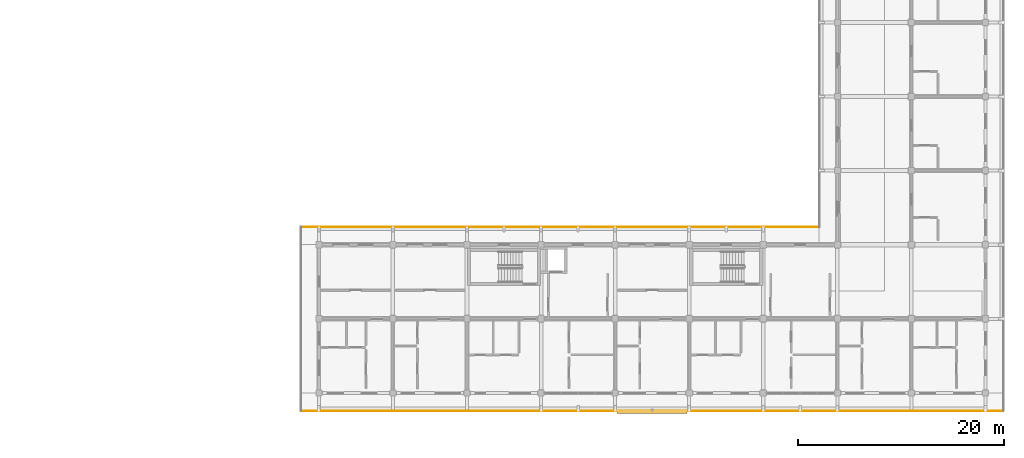
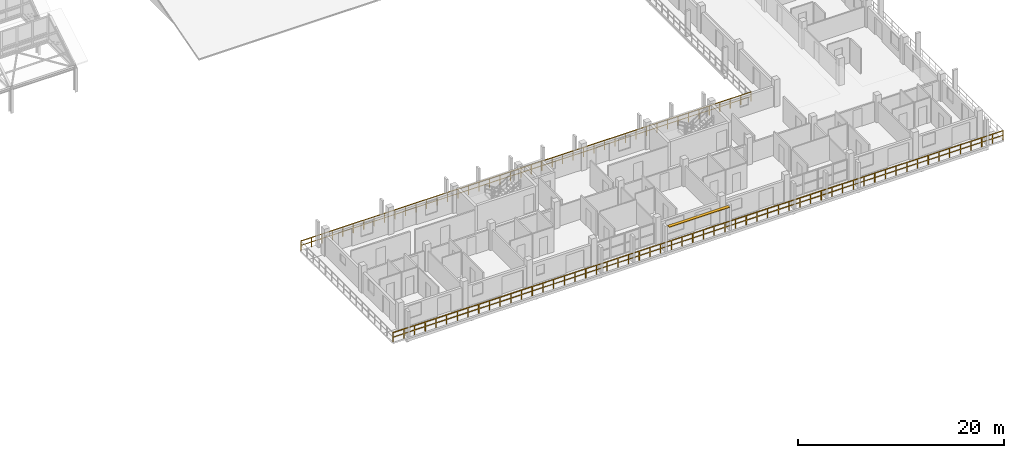
# One storey, part 152 of 157: 2 railings, 1 shading device.
"""IFC4 building model written with IfcOpenShell, lengths in metres."""

import ifcopenshell
import ifcopenshell.guid

model = None  # the IFC model being written
_history = None  # IfcOwnerHistory: only IFC2X3 demands one
_inside = {}  # id of a spatial element -> (the spatial element, [elements in it])
_under = {}  # id of a project, library or spatial element -> (it, [spatial elements below it])
_declared = {}  # id of a project -> (the project, [libraries it declares])
_typed = {}  # id of a type object -> (the type object, [elements of that type])
_made_of = {}  # id of a material, layer set ... -> (it, [elements and type objects made of it])


def new_model(schema):
    """Start an empty IFC model of exactly this schema.

    Asked for "IFC4X3", IfcOpenShell would pick the latest addendum, in which some entities
    have other attributes; the version numbers below select the first issue.
    IFC2X3 requires an IfcOwnerHistory on every rooted entity: one is made here for all.
    """
    global model, _history
    if schema == "IFC4X3":
        model = ifcopenshell.file(schema_version=(4, 3, 0, 0))
    else:
        model = ifcopenshell.file(schema=schema)
    _inside.clear()
    _under.clear()
    _declared.clear()
    _typed.clear()
    _made_of.clear()
    _history = None
    if model.schema == "IFC2X3":
        org = make("IfcOrganization", Name="unknown")
        user = make(
            "IfcPersonAndOrganization",
            ThePerson=make("IfcPerson", FamilyName="unknown"),
            TheOrganization=org,
        )
        app = make(
            "IfcApplication",
            ApplicationDeveloper=org,
            Version="unknown",
            ApplicationFullName="unknown",
            ApplicationIdentifier="unknown",
        )
        _history = make(
            "IfcOwnerHistory",
            OwningUser=user,
            OwningApplication=app,
            ChangeAction="ADDED",
            CreationDate=0,
        )
    return model


def make(cls, **values):
    """One entity of the class cls with the attributes given. An attribute that is None is left unset."""
    return model.create_entity(
        cls, **{name: value for name, value in values.items() if value is not None}
    )


def rooted(cls, **values):
    """An entity with a GlobalId (a new one), such as an element, a storey or a relation."""
    return make(cls, GlobalId=ifcopenshell.guid.new(), OwnerHistory=_history, **values)


def si_unit(unit_type, name, prefix=None):
    """IfcSIUnit, for example si_unit("LENGTHUNIT", "METRE", prefix="MILLI")."""
    return make("IfcSIUnit", UnitType=unit_type, Prefix=prefix, Name=name)


def assignment(units):
    """IfcUnitAssignment: the units of a project."""
    return None if units is None else make("IfcUnitAssignment", Units=units)


def point(xyz):
    """IfcCartesianPoint."""
    return None if xyz is None else make("IfcCartesianPoint", Coordinates=xyz)


def direction(xyz):
    """IfcDirection."""
    return None if xyz is None else make("IfcDirection", DirectionRatios=xyz)


def frame(location, z_axis=None, x_axis=None):
    """IfcAxis2Placement3D, a coordinate frame: its origin and axes. An axis left out is left unset."""
    return make(
        "IfcAxis2Placement3D",
        Location=point(location),
        Axis=direction(z_axis),
        RefDirection=direction(x_axis),
    )


def frame_2d(location, x_axis=None):
    """IfcAxis2Placement2D, a coordinate frame in the plane: its origin and x axis."""
    return make(
        "IfcAxis2Placement2D", Location=point(location), RefDirection=direction(x_axis)
    )


def origin():
    """The frame at (0, 0, 0) with its axes left unset."""
    return frame((0.0, 0.0, 0.0))


def origin_2d():
    """The frame at (0, 0) in the plane with its x axis left unset."""
    return frame_2d((0.0, 0.0))


def place(relative_to, where):
    """IfcLocalPlacement: puts the frame where relative to a parent placement (None: the world)."""
    return make(
        "IfcLocalPlacement", PlacementRelTo=relative_to, RelativePlacement=where
    )


def context(
    kind, dimensions, precision=None, world=None, true_north=None, identifier=None
):
    """IfcGeometricRepresentationContext, for example the 3D "Model" context."""
    return make(
        "IfcGeometricRepresentationContext",
        ContextIdentifier=identifier,
        ContextType=kind,
        CoordinateSpaceDimension=dimensions,
        Precision=precision,
        WorldCoordinateSystem=world,
        TrueNorth=true_north,
    )


def subcontext(parent, identifier, kind, view, scale=None):
    """IfcGeometricRepresentationSubContext, for example "Body" below "Model"."""
    return make(
        "IfcGeometricRepresentationSubContext",
        ContextIdentifier=identifier,
        ContextType=kind,
        ParentContext=parent,
        TargetScale=scale,
        TargetView=view,
    )


def project(units=None, contexts=None):
    """IfcProject with its units and contexts."""
    return rooted(
        "IfcProject",
        Name="project",
        RepresentationContexts=contexts,
        UnitsInContext=assignment(units),
    )


def spatial(cls, under=None, at=None, **own):
    """A site, building, storey or space (cls), placed at a placement, below another one or the project."""
    s = rooted(cls, ObjectPlacement=at, **own)
    if under is not None:
        _under.setdefault(under.id(), (under, []))[1].append(s)
    return s


def profile(cls, at=None, kind="AREA", **sizes):
    """A parametric profile (cls). Its sizes go by their IFC names, for example OverallWidth=200.0."""
    return make(cls, ProfileType=kind, Position=at, **sizes)


def rectangle(**sizes):
    """IfcRectangleProfileDef."""
    return profile("IfcRectangleProfileDef", **sizes)


def extrude(swept, where, along, depth):
    """IfcExtrudedAreaSolid: the profile swept, set in the frame where, extruded along a direction by depth."""
    return make(
        "IfcExtrudedAreaSolid",
        SweptArea=swept,
        Position=where,
        ExtrudedDirection=direction(along),
        Depth=depth,
    )


def shape(context_of_items, identifier, shape_type, items):
    """IfcShapeRepresentation: the items that make up one representation, for example the "Body"."""
    return make(
        "IfcShapeRepresentation",
        ContextOfItems=context_of_items,
        RepresentationIdentifier=identifier,
        RepresentationType=shape_type,
        Items=items,
    )


def material(Name=None, Category=None):
    """IfcMaterial."""
    return make("IfcMaterial", Name=Name, Category=Category)


def made_of(thing, what):
    """Note that an element or type object is made of a material, layer set ...; save() writes the relation."""
    if what is not None:
        _made_of.setdefault(what.id(), (what, []))[1].append(thing)
    return thing


def type_object(cls, material=None, **own):
    """A type object (cls), such as IfcWallType, which elements share."""
    return made_of(rooted(cls, **own), material)


def element(
    cls,
    number,
    at=None,
    inside=None,
    cuts=None,
    type_object=None,
    material=None,
    context=None,
    identifier="Body",
    shape_type=None,
    held_by="IfcProductDefinitionShape",
    body=None,
    shapes=None,
    **own,
):
    """One element of the class cls, such as IfcWall. Its Tag is "e" and its number.

    at: its placement. inside: the storey or other place that contains it. cuts: it is an
    opening in that element (IfcRelVoidsElement). A single representation is given by context,
    identifier, shape_type and body (its items); several are given by shapes. held_by: the class
    of the entity that holds the representations. save() writes the other relations.
    """
    e = rooted(cls, Tag="e%d" % number, ObjectPlacement=at, **own)
    if body is not None:
        shapes = [shape(context, identifier, shape_type, body)]
    if shapes is not None:
        e.Representation = make(held_by, Representations=shapes)
    if inside is not None:
        _inside.setdefault(inside.id(), (inside, []))[1].append(e)
    if cuts is not None:
        rooted(
            "IfcRelVoidsElement", RelatingBuildingElement=cuts, RelatedOpeningElement=e
        )
    if type_object is not None:
        _typed.setdefault(type_object.id(), (type_object, []))[1].append(e)
    return made_of(e, material)


def aggregate(whole, parts):
    """IfcRelAggregates: a whole, such as a stair, and the parts it consists of."""
    return rooted("IfcRelAggregates", RelatingObject=whole, RelatedObjects=parts)


def save(model, path):
    """Write the relations noted so far, then the file.

    IfcRelAggregates (storeys below a building ...), IfcRelContainedInSpatialStructure (elements
    in a storey), IfcRelDefinesByType, IfcRelAssociatesMaterial and IfcRelDeclares: one each for
    every whole, place, type object, material and project.
    """
    for whole, parts in _under.values():
        aggregate(whole, parts)
    for where, things in _inside.values():
        rooted(
            "IfcRelContainedInSpatialStructure",
            RelatedElements=things,
            RelatingStructure=where,
        )
    for kind, things in _typed.values():
        rooted("IfcRelDefinesByType", RelatedObjects=things, RelatingType=kind)
    for what, things in _made_of.values():
        rooted("IfcRelAssociatesMaterial", RelatedObjects=things, RelatingMaterial=what)
    for by, libraries in _declared.values():
        rooted("IfcRelDeclares", RelatingContext=by, RelatedDefinitions=libraries)
    model.write(path)


model = new_model("IFC4")

# Units and contexts
model_context = context("Model", 3, precision=1e-05, world=origin(), true_north=direction((0.0, 1.0)))
body_context = subcontext(model_context, "Body", "Model", "MODEL_VIEW")
ifc_project = project(units=[si_unit("LENGTHUNIT", "METRE"), si_unit("AREAUNIT", "SQUARE_METRE"), si_unit("VOLUMEUNIT", "CUBIC_METRE"), si_unit("PLANEANGLEUNIT", "RADIAN"), si_unit("MASSUNIT", "GRAM", prefix="KILO")], contexts=[model_context])

# Site, building, storey
site_placement = place(None, origin())
site = spatial("IfcSite", under=ifc_project, at=site_placement, CompositionType="ELEMENT")
building_placement = place(site_placement, origin())
building = spatial("IfcBuilding", under=site, at=building_placement, Name="Suanplinth Sawtooth Commons", CompositionType="ELEMENT")
storey_placement = place(building_placement, frame((0.0, 0.0, 9.0)))
storey = spatial("IfcBuildingStorey", under=building, at=storey_placement, Name="L02", CompositionType="ELEMENT", Elevation=9.0)

# Railings
ifc_material_1 = material(Name="Powder-coated galvanized steel", Category="steel")
railing_type = type_object("IfcRailingType", Name="GR-01", PredefinedType="BALUSTRADE", material=ifc_material_1)
railing_1_placement = place(storey_placement, frame((120.659912109375, 16.139892578125, 0.0)))
element("IfcRailing", 1, at=railing_1_placement, inside=storey, type_object=railing_type, Name="L02 Block C Perimeter Balustrade 2", PredefinedType="BALUSTRADE", context=body_context, shape_type="SweptSolid", body=[
    extrude(rectangle(XDim=0.048095703125, YDim=0.048095703125, at=origin_2d()), frame((0.0, 0.0, 1.09619140625), z_axis=(1.0, 0.0, 0.0), x_axis=(0.0, 1.0, 0.0)), (0.0, 0.0, 1.0), 50.400146484375),
    extrude(rectangle(XDim=0.03369140625, YDim=0.03369140625, at=origin_2d()), frame((0.0, 0.0, 0.56005859375), z_axis=(1.0, 0.0, 0.0), x_axis=(0.0, 1.0, 0.0)), (0.0, 0.0, 1.0), 50.400146484375),
    extrude(rectangle(XDim=0.0419921875, YDim=0.0419921875, at=origin_2d()), origin(), (0.0, 0.0, 1.0), 1.072021484375),
    extrude(rectangle(XDim=0.0419921875, YDim=0.0419921875, at=origin_2d()), frame((1.172119140625, 0.0, 0.0)), (0.0, 0.0, 1.0), 1.072021484375),
    extrude(rectangle(XDim=0.0419921875, YDim=0.0419921875, at=origin_2d()), frame((2.34423828125, 0.0, 0.0)), (0.0, 0.0, 1.0), 1.072021484375),
    extrude(rectangle(XDim=0.0419921875, YDim=0.0419921875, at=origin_2d()), frame((3.516357421875, 0.0, 0.0)), (0.0, 0.0, 1.0), 1.072021484375),
    extrude(rectangle(XDim=0.0419921875, YDim=0.0419921875, at=origin_2d()), frame((4.6884765625, 0.0, 0.0)), (0.0, 0.0, 1.0), 1.072021484375),
    extrude(rectangle(XDim=0.0419921875, YDim=0.0419921875, at=origin_2d()), frame((5.860595703125, 0.0, 0.0)), (0.0, 0.0, 1.0), 1.072021484375),
    extrude(rectangle(XDim=0.0419921875, YDim=0.0419921875, at=origin_2d()), frame((7.032470703125, 0.0, 0.0)), (0.0, 0.0, 1.0), 1.072021484375),
    extrude(rectangle(XDim=0.0419921875, YDim=0.0419921875, at=origin_2d()), frame((8.20458984375, 0.0, 0.0)), (0.0, 0.0, 1.0), 1.072021484375),
    extrude(rectangle(XDim=0.0419921875, YDim=0.0419921875, at=origin_2d()), frame((9.376708984375, 0.0, 0.0)), (0.0, 0.0, 1.0), 1.072021484375),
    extrude(rectangle(XDim=0.0419921875, YDim=0.0419921875, at=origin_2d()), frame((10.548828125, 0.0, 0.0)), (0.0, 0.0, 1.0), 1.072021484375),
    extrude(rectangle(XDim=0.0419921875, YDim=0.0419921875, at=origin_2d()), frame((11.720947265625, 0.0, 0.0)), (0.0, 0.0, 1.0), 1.072021484375),
    extrude(rectangle(XDim=0.0419921875, YDim=0.0419921875, at=origin_2d()), frame((12.89306640625, 0.0, 0.0)), (0.0, 0.0, 1.0), 1.072021484375),
    extrude(rectangle(XDim=0.0419921875, YDim=0.0419921875, at=origin_2d()), frame((14.065185546875, 0.0, 0.0)), (0.0, 0.0, 1.0), 1.072021484375),
    extrude(rectangle(XDim=0.0419921875, YDim=0.0419921875, at=origin_2d()), frame((15.2373046875, 0.0, 0.0)), (0.0, 0.0, 1.0), 1.072021484375),
    extrude(rectangle(XDim=0.0419921875, YDim=0.0419921875, at=origin_2d()), frame((16.409423828125, 0.0, 0.0)), (0.0, 0.0, 1.0), 1.072021484375),
    extrude(rectangle(XDim=0.0419921875, YDim=0.0419921875, at=origin_2d()), frame((17.58154296875, 0.0, 0.0)), (0.0, 0.0, 1.0), 1.072021484375),
    extrude(rectangle(XDim=0.0419921875, YDim=0.0419921875, at=origin_2d()), frame((18.753662109375, 0.0, 0.0)), (0.0, 0.0, 1.0), 1.072021484375),
    extrude(rectangle(XDim=0.0419921875, YDim=0.0419921875, at=origin_2d()), frame((19.925537109375, 0.0, 0.0)), (0.0, 0.0, 1.0), 1.072021484375),
    extrude(rectangle(XDim=0.0419921875, YDim=0.0419921875, at=origin_2d()), frame((21.09765625, 0.0, 0.0)), (0.0, 0.0, 1.0), 1.072021484375),
    extrude(rectangle(XDim=0.0419921875, YDim=0.0419921875, at=origin_2d()), frame((22.269775390625, 0.0, 0.0)), (0.0, 0.0, 1.0), 1.072021484375),
    extrude(rectangle(XDim=0.0419921875, YDim=0.0419921875, at=origin_2d()), frame((23.44189453125, 0.0, 0.0)), (0.0, 0.0, 1.0), 1.072021484375),
    extrude(rectangle(XDim=0.0419921875, YDim=0.0419921875, at=origin_2d()), frame((24.614013671875, 0.0, 0.0)), (0.0, 0.0, 1.0), 1.072021484375),
    extrude(rectangle(XDim=0.0419921875, YDim=0.0419921875, at=origin_2d()), frame((25.7861328125, 0.0, 0.0)), (0.0, 0.0, 1.0), 1.072021484375),
    extrude(rectangle(XDim=0.0419921875, YDim=0.0419921875, at=origin_2d()), frame((26.958251953125, 0.0, 0.0)), (0.0, 0.0, 1.0), 1.072021484375),
    extrude(rectangle(XDim=0.0419921875, YDim=0.0419921875, at=origin_2d()), frame((28.13037109375, 0.0, 0.0)), (0.0, 0.0, 1.0), 1.072021484375),
    extrude(rectangle(XDim=0.0419921875, YDim=0.0419921875, at=origin_2d()), frame((29.302490234375, 0.0, 0.0)), (0.0, 0.0, 1.0), 1.072021484375),
    extrude(rectangle(XDim=0.0419921875, YDim=0.0419921875, at=origin_2d()), frame((30.474609375, 0.0, 0.0)), (0.0, 0.0, 1.0), 1.072021484375),
    extrude(rectangle(XDim=0.0419921875, YDim=0.0419921875, at=origin_2d()), frame((31.646484375, 0.0, 0.0)), (0.0, 0.0, 1.0), 1.072021484375),
    extrude(rectangle(XDim=0.0419921875, YDim=0.0419921875, at=origin_2d()), frame((32.818603515625, 0.0, 0.0)), (0.0, 0.0, 1.0), 1.072021484375),
    extrude(rectangle(XDim=0.0419921875, YDim=0.0419921875, at=origin_2d()), frame((33.99072265625, 0.0, 0.0)), (0.0, 0.0, 1.0), 1.072021484375),
    extrude(rectangle(XDim=0.0419921875, YDim=0.0419921875, at=origin_2d()), frame((35.162841796875, 0.0, 0.0)), (0.0, 0.0, 1.0), 1.072021484375),
    extrude(rectangle(XDim=0.0419921875, YDim=0.0419921875, at=origin_2d()), frame((36.3349609375, 0.0, 0.0)), (0.0, 0.0, 1.0), 1.072021484375),
    extrude(rectangle(XDim=0.0419921875, YDim=0.0419921875, at=origin_2d()), frame((37.507080078125, 0.0, 0.0)), (0.0, 0.0, 1.0), 1.072021484375),
    extrude(rectangle(XDim=0.0419921875, YDim=0.0419921875, at=origin_2d()), frame((38.67919921875, 0.0, 0.0)), (0.0, 0.0, 1.0), 1.072021484375),
    extrude(rectangle(XDim=0.0419921875, YDim=0.0419921875, at=origin_2d()), frame((39.851318359375, 0.0, 0.0)), (0.0, 0.0, 1.0), 1.072021484375),
    extrude(rectangle(XDim=0.0419921875, YDim=0.0419921875, at=origin_2d()), frame((41.0234375, 0.0, 0.0)), (0.0, 0.0, 1.0), 1.072021484375),
    extrude(rectangle(XDim=0.0419921875, YDim=0.0419921875, at=origin_2d()), frame((42.195556640625, 0.0, 0.0)), (0.0, 0.0, 1.0), 1.072021484375),
    extrude(rectangle(XDim=0.0419921875, YDim=0.0419921875, at=origin_2d()), frame((43.36767578125, 0.0, 0.0)), (0.0, 0.0, 1.0), 1.072021484375),
    extrude(rectangle(XDim=0.0419921875, YDim=0.0419921875, at=origin_2d()), frame((44.53955078125, 0.0, 0.0)), (0.0, 0.0, 1.0), 1.072021484375),
    extrude(rectangle(XDim=0.0419921875, YDim=0.0419921875, at=origin_2d()), frame((45.711669921875, 0.0, 0.0)), (0.0, 0.0, 1.0), 1.072021484375),
    extrude(rectangle(XDim=0.0419921875, YDim=0.0419921875, at=origin_2d()), frame((46.8837890625, 0.0, 0.0)), (0.0, 0.0, 1.0), 1.072021484375),
    extrude(rectangle(XDim=0.0419921875, YDim=0.0419921875, at=origin_2d()), frame((48.055908203125, 0.0, 0.0)), (0.0, 0.0, 1.0), 1.072021484375),
    extrude(rectangle(XDim=0.0419921875, YDim=0.0419921875, at=origin_2d()), frame((49.22802734375, 0.0, 0.0)), (0.0, 0.0, 1.0), 1.072021484375),
    extrude(rectangle(XDim=0.0419921875, YDim=0.0419921875, at=origin_2d()), frame((50.400146484375, 0.0, 0.0)), (0.0, 0.0, 1.0), 1.072021484375),
])
railing_2_placement = place(storey_placement, frame((188.93994140625, -1.739990234375, 0.0)))
element("IfcRailing", 2, at=railing_2_placement, inside=storey, type_object=railing_type, Name="L02 Block C Perimeter Balustrade 6", PredefinedType="BALUSTRADE", context=body_context, shape_type="SweptSolid", body=[
    extrude(rectangle(XDim=0.048095703125, YDim=0.048095703125, at=origin_2d()), frame((0.0, 0.0, 1.09619140625), z_axis=(-1.0, 0.0, 0.0), x_axis=(0.0, -1.0, 0.0)), (0.0, 0.0, 1.0), 68.280029296875),
    extrude(rectangle(XDim=0.03369140625, YDim=0.03369140625, at=origin_2d()), frame((0.0, 0.0, 0.56005859375), z_axis=(-1.0, 0.0, 0.0), x_axis=(0.0, -1.0, 0.0)), (0.0, 0.0, 1.0), 68.280029296875),
    extrude(rectangle(XDim=0.0419921875, YDim=0.0419921875, at=origin_2d()), origin(), (0.0, 0.0, 1.0), 1.072021484375),
    extrude(rectangle(XDim=0.0419921875, YDim=0.0419921875, at=origin_2d()), frame((-1.197998046875, 0.0, 0.0)), (0.0, 0.0, 1.0), 1.072021484375),
    extrude(rectangle(XDim=0.0419921875, YDim=0.0419921875, at=origin_2d()), frame((-2.395751953125, 0.0, 0.0)), (0.0, 0.0, 1.0), 1.072021484375),
    extrude(rectangle(XDim=0.0419921875, YDim=0.0419921875, at=origin_2d()), frame((-3.59375, 0.0, 0.0)), (0.0, 0.0, 1.0), 1.072021484375),
    extrude(rectangle(XDim=0.0419921875, YDim=0.0419921875, at=origin_2d()), frame((-4.79150390625, 0.0, 0.0)), (0.0, 0.0, 1.0), 1.072021484375),
    extrude(rectangle(XDim=0.0419921875, YDim=0.0419921875, at=origin_2d()), frame((-5.989501953125, 0.0, 0.0)), (0.0, 0.0, 1.0), 1.072021484375),
    extrude(rectangle(XDim=0.0419921875, YDim=0.0419921875, at=origin_2d()), frame((-7.187255859375, 0.0, 0.0)), (0.0, 0.0, 1.0), 1.072021484375),
    extrude(rectangle(XDim=0.0419921875, YDim=0.0419921875, at=origin_2d()), frame((-8.38525390625, 0.0, 0.0)), (0.0, 0.0, 1.0), 1.072021484375),
    extrude(rectangle(XDim=0.0419921875, YDim=0.0419921875, at=origin_2d()), frame((-9.583251953125, 0.0, 0.0)), (0.0, 0.0, 1.0), 1.072021484375),
    extrude(rectangle(XDim=0.0419921875, YDim=0.0419921875, at=origin_2d()), frame((-10.781005859375, 0.0, 0.0)), (0.0, 0.0, 1.0), 1.072021484375),
    extrude(rectangle(XDim=0.0419921875, YDim=0.0419921875, at=origin_2d()), frame((-11.97900390625, 0.0, 0.0)), (0.0, 0.0, 1.0), 1.072021484375),
    extrude(rectangle(XDim=0.0419921875, YDim=0.0419921875, at=origin_2d()), frame((-13.1767578125, 0.0, 0.0)), (0.0, 0.0, 1.0), 1.072021484375),
    extrude(rectangle(XDim=0.0419921875, YDim=0.0419921875, at=origin_2d()), frame((-14.374755859375, 0.0, 0.0)), (0.0, 0.0, 1.0), 1.072021484375),
    extrude(rectangle(XDim=0.0419921875, YDim=0.0419921875, at=origin_2d()), frame((-15.57275390625, 0.0, 0.0)), (0.0, 0.0, 1.0), 1.072021484375),
    extrude(rectangle(XDim=0.0419921875, YDim=0.0419921875, at=origin_2d()), frame((-16.7705078125, 0.0, 0.0)), (0.0, 0.0, 1.0), 1.072021484375),
    extrude(rectangle(XDim=0.0419921875, YDim=0.0419921875, at=origin_2d()), frame((-17.968505859375, 0.0, 0.0)), (0.0, 0.0, 1.0), 1.072021484375),
    extrude(rectangle(XDim=0.0419921875, YDim=0.0419921875, at=origin_2d()), frame((-19.166259765625, 0.0, 0.0)), (0.0, 0.0, 1.0), 1.072021484375),
    extrude(rectangle(XDim=0.0419921875, YDim=0.0419921875, at=origin_2d()), frame((-20.3642578125, 0.0, 0.0)), (0.0, 0.0, 1.0), 1.072021484375),
    extrude(rectangle(XDim=0.0419921875, YDim=0.0419921875, at=origin_2d()), frame((-21.56201171875, 0.0, 0.0)), (0.0, 0.0, 1.0), 1.072021484375),
    extrude(rectangle(XDim=0.0419921875, YDim=0.0419921875, at=origin_2d()), frame((-22.760009765625, 0.0, 0.0)), (0.0, 0.0, 1.0), 1.072021484375),
    extrude(rectangle(XDim=0.0419921875, YDim=0.0419921875, at=origin_2d()), frame((-23.9580078125, 0.0, 0.0)), (0.0, 0.0, 1.0), 1.072021484375),
    extrude(rectangle(XDim=0.0419921875, YDim=0.0419921875, at=origin_2d()), frame((-25.15576171875, 0.0, 0.0)), (0.0, 0.0, 1.0), 1.072021484375),
    extrude(rectangle(XDim=0.0419921875, YDim=0.0419921875, at=origin_2d()), frame((-26.353759765625, 0.0, 0.0)), (0.0, 0.0, 1.0), 1.072021484375),
    extrude(rectangle(XDim=0.0419921875, YDim=0.0419921875, at=origin_2d()), frame((-27.551513671875, 0.0, 0.0)), (0.0, 0.0, 1.0), 1.072021484375),
    extrude(rectangle(XDim=0.0419921875, YDim=0.0419921875, at=origin_2d()), frame((-28.74951171875, 0.0, 0.0)), (0.0, 0.0, 1.0), 1.072021484375),
    extrude(rectangle(XDim=0.0419921875, YDim=0.0419921875, at=origin_2d()), frame((-29.947265625, 0.0, 0.0)), (0.0, 0.0, 1.0), 1.072021484375),
    extrude(rectangle(XDim=0.0419921875, YDim=0.0419921875, at=origin_2d()), frame((-31.145263671875, 0.0, 0.0)), (0.0, 0.0, 1.0), 1.072021484375),
    extrude(rectangle(XDim=0.0419921875, YDim=0.0419921875, at=origin_2d()), frame((-32.34326171875, 0.0, 0.0)), (0.0, 0.0, 1.0), 1.072021484375),
    extrude(rectangle(XDim=0.0419921875, YDim=0.0419921875, at=origin_2d()), frame((-33.541015625, 0.0, 0.0)), (0.0, 0.0, 1.0), 1.072021484375),
    extrude(rectangle(XDim=0.0419921875, YDim=0.0419921875, at=origin_2d()), frame((-34.739013671875, 0.0, 0.0)), (0.0, 0.0, 1.0), 1.072021484375),
    extrude(rectangle(XDim=0.0419921875, YDim=0.0419921875, at=origin_2d()), frame((-35.936767578125, 0.0, 0.0)), (0.0, 0.0, 1.0), 1.072021484375),
    extrude(rectangle(XDim=0.0419921875, YDim=0.0419921875, at=origin_2d()), frame((-37.134765625, 0.0, 0.0)), (0.0, 0.0, 1.0), 1.072021484375),
    extrude(rectangle(XDim=0.0419921875, YDim=0.0419921875, at=origin_2d()), frame((-38.332763671875, 0.0, 0.0)), (0.0, 0.0, 1.0), 1.072021484375),
    extrude(rectangle(XDim=0.0419921875, YDim=0.0419921875, at=origin_2d()), frame((-39.530517578125, 0.0, 0.0)), (0.0, 0.0, 1.0), 1.072021484375),
    extrude(rectangle(XDim=0.0419921875, YDim=0.0419921875, at=origin_2d()), frame((-40.728515625, 0.0, 0.0)), (0.0, 0.0, 1.0), 1.072021484375),
    extrude(rectangle(XDim=0.0419921875, YDim=0.0419921875, at=origin_2d()), frame((-41.92626953125, 0.0, 0.0)), (0.0, 0.0, 1.0), 1.072021484375),
    extrude(rectangle(XDim=0.0419921875, YDim=0.0419921875, at=origin_2d()), frame((-43.124267578125, 0.0, 0.0)), (0.0, 0.0, 1.0), 1.072021484375),
    extrude(rectangle(XDim=0.0419921875, YDim=0.0419921875, at=origin_2d()), frame((-44.322021484375, 0.0, 0.0)), (0.0, 0.0, 1.0), 1.072021484375),
    extrude(rectangle(XDim=0.0419921875, YDim=0.0419921875, at=origin_2d()), frame((-45.52001953125, 0.0, 0.0)), (0.0, 0.0, 1.0), 1.072021484375),
    extrude(rectangle(XDim=0.0419921875, YDim=0.0419921875, at=origin_2d()), frame((-46.718017578125, 0.0, 0.0)), (0.0, 0.0, 1.0), 1.072021484375),
    extrude(rectangle(XDim=0.0419921875, YDim=0.0419921875, at=origin_2d()), frame((-47.915771484375, 0.0, 0.0)), (0.0, 0.0, 1.0), 1.072021484375),
    extrude(rectangle(XDim=0.0419921875, YDim=0.0419921875, at=origin_2d()), frame((-49.11376953125, 0.0, 0.0)), (0.0, 0.0, 1.0), 1.072021484375),
    extrude(rectangle(XDim=0.0419921875, YDim=0.0419921875, at=origin_2d()), frame((-50.3115234375, 0.0, 0.0)), (0.0, 0.0, 1.0), 1.072021484375),
    extrude(rectangle(XDim=0.0419921875, YDim=0.0419921875, at=origin_2d()), frame((-51.509521484375, 0.0, 0.0)), (0.0, 0.0, 1.0), 1.072021484375),
    extrude(rectangle(XDim=0.0419921875, YDim=0.0419921875, at=origin_2d()), frame((-52.707275390625, 0.0, 0.0)), (0.0, 0.0, 1.0), 1.072021484375),
    extrude(rectangle(XDim=0.0419921875, YDim=0.0419921875, at=origin_2d()), frame((-53.9052734375, 0.0, 0.0)), (0.0, 0.0, 1.0), 1.072021484375),
    extrude(rectangle(XDim=0.0419921875, YDim=0.0419921875, at=origin_2d()), frame((-55.103271484375, 0.0, 0.0)), (0.0, 0.0, 1.0), 1.072021484375),
    extrude(rectangle(XDim=0.0419921875, YDim=0.0419921875, at=origin_2d()), frame((-56.301025390625, 0.0, 0.0)), (0.0, 0.0, 1.0), 1.072021484375),
    extrude(rectangle(XDim=0.0419921875, YDim=0.0419921875, at=origin_2d()), frame((-57.4990234375, 0.0, 0.0)), (0.0, 0.0, 1.0), 1.072021484375),
    extrude(rectangle(XDim=0.0419921875, YDim=0.0419921875, at=origin_2d()), frame((-58.69677734375, 0.0, 0.0)), (0.0, 0.0, 1.0), 1.072021484375),
    extrude(rectangle(XDim=0.0419921875, YDim=0.0419921875, at=origin_2d()), frame((-59.894775390625, 0.0, 0.0)), (0.0, 0.0, 1.0), 1.072021484375),
    extrude(rectangle(XDim=0.0419921875, YDim=0.0419921875, at=origin_2d()), frame((-61.0927734375, 0.0, 0.0)), (0.0, 0.0, 1.0), 1.072021484375),
    extrude(rectangle(XDim=0.0419921875, YDim=0.0419921875, at=origin_2d()), frame((-62.29052734375, 0.0, 0.0)), (0.0, 0.0, 1.0), 1.072021484375),
    extrude(rectangle(XDim=0.0419921875, YDim=0.0419921875, at=origin_2d()), frame((-63.488525390625, 0.0, 0.0)), (0.0, 0.0, 1.0), 1.072021484375),
    extrude(rectangle(XDim=0.0419921875, YDim=0.0419921875, at=origin_2d()), frame((-64.686279296875, 0.0, 0.0)), (0.0, 0.0, 1.0), 1.072021484375),
    extrude(rectangle(XDim=0.0419921875, YDim=0.0419921875, at=origin_2d()), frame((-65.88427734375, 0.0, 0.0)), (0.0, 0.0, 1.0), 1.072021484375),
    extrude(rectangle(XDim=0.0419921875, YDim=0.0419921875, at=origin_2d()), frame((-67.08203125, 0.0, 0.0)), (0.0, 0.0, 1.0), 1.072021484375),
    extrude(rectangle(XDim=0.0419921875, YDim=0.0419921875, at=origin_2d()), frame((-68.280029296875, 0.0, 0.0)), (0.0, 0.0, 1.0), 1.072021484375),
])

# Shading device
ifc_material_2 = material(Name="Anodized aluminium 6063-T6", Category="aluminium")
shading_device_type = type_object("IfcShadingDeviceType", Name="SHD-01", PredefinedType="JALOUSIE", material=ifc_material_2)
shading_device_placement = place(storey_placement, frame((154.800048828125, -1.840087890625, 2.919921875), z_axis=(0.0, 0.0, 1.0), x_axis=(1.0, 0.0, 0.0)))
element("IfcShadingDevice", 3, at=shading_device_placement, inside=storey, type_object=shading_device_type, Name="Monsoon Louvre L02-C-1", PredefinedType="JALOUSIE", context=body_context, shape_type="SweptSolid", body=[
    extrude(rectangle(XDim=6.800048828125, YDim=0.35009765625, at=origin_2d()), origin(), (0.0, 0.0, 1.0), 0.06005859375),
])

save(model, "model.ifc")
